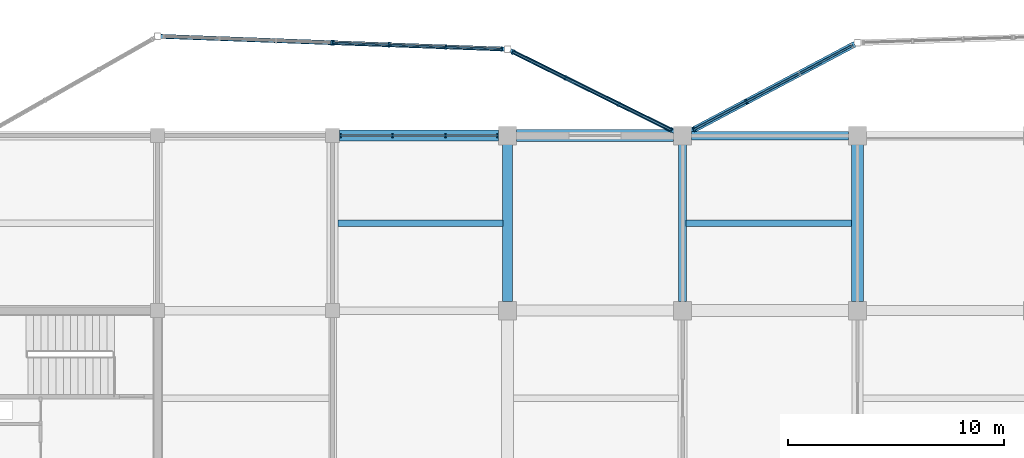
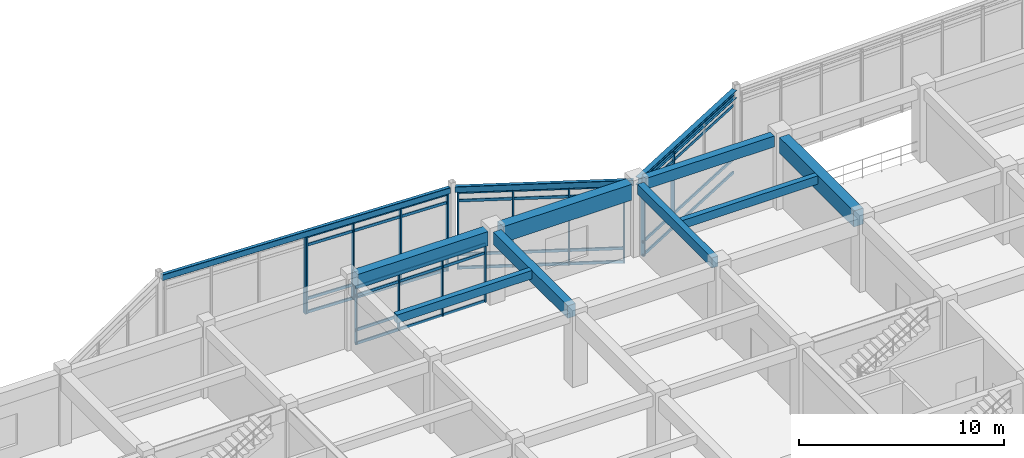
# One storey, part 47 of 93: 31 members, 11 beams, 5 elements without a shape of their own.
"""IFC4 building model written with IfcOpenShell, lengths in metres."""

from ifc_helpers import new_model, si_unit, direction, frame, origin, origin_2d, place, context, subcontext, project, spatial, rectangle, hollow_rectangle, i_section, extrude, material, layer, layer_set, material_profile, profile_set, type_object, element, aggregate, save


model = new_model("IFC4")

# Units and contexts
model_context = context("Model", 3, precision=1e-05, world=origin(), true_north=direction((0.0, 1.0)))
body_context = subcontext(model_context, "Body", "Model", "MODEL_VIEW")
ifc_project = project(units=[si_unit("LENGTHUNIT", "METRE"), si_unit("AREAUNIT", "SQUARE_METRE"), si_unit("VOLUMEUNIT", "CUBIC_METRE"), si_unit("PLANEANGLEUNIT", "RADIAN"), si_unit("MASSUNIT", "GRAM", prefix="KILO")], contexts=[model_context])

# Site, building, storey
site_placement = place(None, origin())
site = spatial("IfcSite", under=ifc_project, at=site_placement, CompositionType="ELEMENT")
building_placement = place(site_placement, origin())
building = spatial("IfcBuilding", under=site, at=building_placement, Name="Vaudrelin Polytechnic", CompositionType="ELEMENT")
storey_placement = place(building_placement, frame((0.0, 0.0, 5.10009765625)))
storey = spatial("IfcBuildingStorey", under=building, at=storey_placement, Name="L01", CompositionType="ELEMENT", Elevation=5.10009765625)

# Beams
ifc_material_1 = material(Name="Concrete 40 MPa", Category="concrete")
ifc_material_profile_1 = material_profile(ifc_material_1, rectangle(XDim=0.35009765625, YDim=0.60009765625, at=origin_2d()), Name="RC350x600")
ifc_profile_set_1 = profile_set([ifc_material_profile_1], Name="Concrete 40 MPa")
beam_type_1 = type_object("IfcBeamType", Name="BM-BM-RC3560", PredefinedType="BEAM", material=ifc_profile_set_1)
beam_1_placement = place(storey_placement, frame((145.800048828125, 113.81005859375, 4.010009765625), z_axis=(0.0, 1.0, 0.0), x_axis=(-1.0, 0.0, 0.0)))
element("IfcBeam", 1, at=beam_1_placement, inside=storey, type_object=beam_type_1, Name="L01 Y-beam 19-15", PredefinedType="BEAM", context=body_context, shape_type="SweptSolid", body=[
    extrude(rectangle(XDim=0.35009765625, YDim=0.60009765625, at=origin_2d()), origin(), (0.0, 0.0, 1.0), 7.280029296875),
])
ifc_material_profile_2 = material_profile(ifc_material_1, rectangle(XDim=0.449951171875, YDim=0.75, at=origin_2d()), Name="RC450x750")
ifc_profile_set_2 = profile_set([ifc_material_profile_2], Name="Concrete 40 MPa")
beam_type_2 = type_object("IfcBeamType", Name="BM-BM-RC4575", PredefinedType="BEAM", material=ifc_profile_set_2)
beam_2_placement = place(storey_placement, frame((137.699951171875, 113.81005859375, 3.934814453125), z_axis=(0.0, 1.0, 0.0), x_axis=(-1.0, 0.0, 0.0)))
element("IfcBeam", 2, at=beam_2_placement, inside=storey, type_object=beam_type_2, Name="L01 Y-beam 18-15", PredefinedType="BEAM", context=body_context, shape_type="SweptSolid", body=[
    extrude(rectangle(XDim=0.449951171875, YDim=0.75, at=origin_2d()), origin(), (0.0, 0.0, 1.0), 7.280029296875),
])
ifc_material_profile_3 = material_profile(ifc_material_1, rectangle(XDim=0.5, YDim=0.85009765625, at=origin_2d()), Name="RC500x850")
ifc_profile_set_3 = profile_set([ifc_material_profile_3], Name="Concrete 40 MPa")
beam_type_3 = type_object("IfcBeamType", Name="BM-BM-RC5085", PredefinedType="BEAM", material=ifc_profile_set_3)
beam_3_placement = place(storey_placement, frame((129.9208984375, 121.5, 3.885009765625), z_axis=(1.0, 0.0, 0.0), x_axis=(0.0, 1.0, 0.0)))
element("IfcBeam", 3, at=beam_3_placement, inside=storey, type_object=beam_type_3, Name="L01 X-beam 17-16", PredefinedType="BEAM", context=body_context, shape_type="SweptSolid", body=[
    extrude(rectangle(XDim=0.5, YDim=0.85009765625, at=origin_2d()), origin(), (0.0, 0.0, 1.0), 7.358154296875),
])
ifc_material_2 = material(Name="Concrete 50 MPa", Category="concrete")
ifc_material_profile_4 = material_profile(ifc_material_2, rectangle(XDim=0.550048828125, YDim=0.949951171875, at=origin_2d()), Name="RC550x950")
ifc_profile_set_4 = profile_set([ifc_material_profile_4], Name="Concrete 50 MPa")
beam_type_4 = type_object("IfcBeamType", Name="BM-BM-RC5595", PredefinedType="BEAM", material=ifc_profile_set_4)
beam_4_placement = place(storey_placement, frame((153.89990234375, 113.81005859375, 3.8349609375), z_axis=(0.0, 1.0, 0.0), x_axis=(-1.0, 0.0, 0.0)))
element("IfcBeam", 4, at=beam_4_placement, inside=storey, type_object=beam_type_4, Name="L01 Y-beam 20-15", PredefinedType="BEAM", context=body_context, shape_type="SweptSolid", body=[
    extrude(rectangle(XDim=0.550048828125, YDim=0.949951171875, at=origin_2d()), origin(), (0.0, 0.0, 1.0), 7.280029296875),
])
beam_5_placement = place(storey_placement, frame((138.12109375, 121.5, 3.8349609375), z_axis=(1.0, 0.0, 0.0), x_axis=(0.0, 1.0, 0.0)))
element("IfcBeam", 5, at=beam_5_placement, inside=storey, type_object=beam_type_4, Name="L01 X-beam 18-16", PredefinedType="BEAM", context=body_context, shape_type="SweptSolid", body=[
    extrude(rectangle(XDim=0.550048828125, YDim=0.949951171875, at=origin_2d()), origin(), (0.0, 0.0, 1.0), 7.2578125),
])
ifc_material_3 = material(Name="Steel CSA G40.21 350W", Category="steel")
ifc_material_profile_5 = material_profile(ifc_material_3, i_section(OverallWidth=0.280029296875, OverallDepth=0.462890625, WebThickness=0.0107421875, FlangeThickness=0.017333984375, FilletRadius=0.01806640625, at=origin_2d()), Name="W460x113")
ifc_profile_set_5 = profile_set([ifc_material_profile_5], Name="Steel CSA G40.21 350W")
beam_type_5 = type_object("IfcBeamType", Name="BM-BM-W460H", PredefinedType="BEAM", material=ifc_profile_set_5)
beam_6_placement = place(storey_placement, frame((145.923583984375, 121.565673828125, 4.078369140625), z_axis=(0.883259671752, 0.468884156542, 0.0), x_axis=(-0.468884156542, 0.883259671752, 0.0)))
element("IfcBeam", 6, at=beam_6_placement, inside=storey, type_object=beam_type_5, Name="Sculptural edge beam L01 NE_BM_1", PredefinedType="BEAM", context=body_context, shape_type="SweptSolid", body=[
    extrude(i_section(OverallWidth=0.280029296875, OverallDepth=0.462890625, WebThickness=0.0107421875, FlangeThickness=0.017333984375, FilletRadius=0.01806640625, at=origin_2d()), origin(), (0.0, 0.0, 1.0), 8.890625),
])
ifc_material_profile_6 = material_profile(ifc_material_1, rectangle(XDim=0.300048828125, YDim=0.5, at=origin_2d()), Name="RC300x500")
ifc_profile_set_6 = profile_set([ifc_material_profile_6], Name="Concrete 40 MPa")
beam_type_6 = type_object("IfcBeamType", Name="BM-JS-RC3050", PredefinedType="JOIST", material=ifc_profile_set_6)
beam_7_placement = place(storey_placement, frame((129.845947265625, 117.449951171875, 4.059814453125), z_axis=(1.0, 0.0, 0.0), x_axis=(0.0, 1.0, 0.0)))
element("IfcBeam", 7, at=beam_7_placement, inside=storey, type_object=beam_type_6, Name="L01 floor joist 17-15", PredefinedType="JOIST", context=body_context, shape_type="SweptSolid", body=[
    extrude(rectangle(XDim=0.300048828125, YDim=0.5, at=origin_2d()), origin(), (0.0, 0.0, 1.0), 7.633056640625),
])
beam_8_placement = place(storey_placement, frame((145.970947265625, 117.449951171875, 4.059814453125), z_axis=(1.0, 0.0, 0.0), x_axis=(0.0, 1.0, 0.0)))
element("IfcBeam", 8, at=beam_8_placement, inside=storey, type_object=beam_type_6, Name="L01 floor joist 19-15", PredefinedType="JOIST", context=body_context, shape_type="SweptSolid", body=[
    extrude(rectangle(XDim=0.300048828125, YDim=0.5, at=origin_2d()), origin(), (0.0, 0.0, 1.0), 7.657958984375),
])
ifc_material_4 = material(Name="Steel CSA G40.21 350WT", Category="steel")
ifc_material_profile_7 = material_profile(ifc_material_4, hollow_rectangle(XDim=0.202880859375, YDim=0.35595703125, WallThickness=0.0126953125, InnerFilletRadius=0.0126953125, OuterFilletRadius=0.025390625, at=origin_2d()), Name="HSS356x203x12.7")
ifc_profile_set_7 = profile_set([ifc_material_profile_7], Name="Steel CSA G40.21 350WT")
beam_type_7 = type_object("IfcBeamType", Name="BM-SP-HSS35", PredefinedType="SPANDREL", material=ifc_profile_set_7)
beam_9_placement = place(storey_placement, frame((121.639892578125, 126.0947265625, 4.1318359375), z_axis=(0.999314917736, -0.037009393279, 0.0), x_axis=(0.037009393279, 0.999314917736, 0.0)))
element("IfcBeam", 9, at=beam_9_placement, inside=storey, type_object=beam_type_7, Name="Sculptural edge beam L01 N_OR3_B2", PredefinedType="SPANDREL", context=body_context, shape_type="SweptSolid", body=[
    extrude(hollow_rectangle(XDim=0.202880859375, YDim=0.35595703125, WallThickness=0.0126953125, InnerFilletRadius=0.0126953125, OuterFilletRadius=0.025390625, at=origin_2d()), origin(), (0.0, 0.0, 1.0), 15.93115234375),
])
beam_10_placement = place(storey_placement, frame((137.825439453125, 125.43798828125, 4.1318359375), z_axis=(0.896636147208, -0.44276813291, 0.0), x_axis=(0.44276813291, 0.896636147208, 0.0)))
element("IfcBeam", 10, at=beam_10_placement, inside=storey, type_object=beam_type_7, Name="Sculptural edge beam L01 N_OR3_B3", PredefinedType="SPANDREL", context=body_context, shape_type="SweptSolid", body=[
    extrude(hollow_rectangle(XDim=0.202880859375, YDim=0.35595703125, WallThickness=0.0126953125, InnerFilletRadius=0.0126953125, OuterFilletRadius=0.025390625, at=origin_2d()), origin(), (0.0, 0.0, 1.0), 8.75390625),
])
ifc_material_profile_8 = material_profile(ifc_material_1, rectangle(XDim=0.39990234375, YDim=0.64990234375, at=origin_2d()), Name="RC400x650")
ifc_profile_set_8 = profile_set([ifc_material_profile_8], Name="Concrete 40 MPa")
beam_type_8 = type_object("IfcBeamType", Name="BM-SP-RC4065", PredefinedType="SPANDREL", material=ifc_profile_set_8)
beam_11_placement = place(storey_placement, frame((146.220947265625, 121.5, 3.98486328125), z_axis=(1.0, 0.0, 0.0), x_axis=(0.0, 1.0, 0.0)))
element("IfcBeam", 11, at=beam_11_placement, inside=storey, type_object=beam_type_8, Name="L01 X-beam 19-16", PredefinedType="SPANDREL", context=body_context, shape_type="SweptSolid", body=[
    extrude(rectangle(XDim=0.39990234375, YDim=0.64990234375, at=origin_2d()), origin(), (0.0, 0.0, 1.0), 7.258056640625),
])

# Curtain wall, members
ifc_material_5 = material(Name="Thermally broken anodised aluminium AA 6063-T6 and low-e triple glazing", Category="aluminium")
ifc_layer_1 = layer(ifc_material_5, 0.199951171875)
ifc_layer_set_1 = layer_set([ifc_layer_1], Name="Thermally broken anodised aluminium AA 6063-T6 and low-e triple glazing")
curtain_wall_type_1 = type_object("IfcCurtainWallType", Name="CW-CW-LAB", PredefinedType="USERDEFINED", material=ifc_layer_set_1)
curtain_wall_1_placement = place(storey_placement, origin())
curtain_wall_1 = element("IfcCurtainWall", 12, at=curtain_wall_1_placement, inside=storey, type_object=curtain_wall_type_1, Name="Curtain wall L01 N_V4_00", ObjectType="CURTAIN WALL", PredefinedType="USERDEFINED")
ifc_material_6 = material(Name="Anodised aluminium AA 6063-T6", Category="aluminium")
ifc_material_profile_9 = material_profile(ifc_material_6, rectangle(XDim=0.06494140625, YDim=0.179931640625, at=origin_2d()), Name="CWM-65x180")
ifc_profile_set_9 = profile_set([ifc_material_profile_9], Name="Anodised aluminium AA 6063-T6")
member_type_1 = type_object("IfcMemberType", Name="MEM-CWM-180", PredefinedType="MULLION", material=ifc_profile_set_9)
member_1_placement = place(storey_placement, frame((129.962890625, 121.5, 0.0), z_axis=(0.0, 0.0, 1.0), x_axis=(1.0, 0.0, 0.0)))
member_1 = element("IfcMember", 13, at=member_1_placement, type_object=member_type_1, Name="N_V4_00 mullion 1", PredefinedType="MULLION", context=body_context, shape_type="SweptSolid", body=[
    extrude(rectangle(XDim=0.06494140625, YDim=0.179931640625, at=origin_2d()), origin(), (0.0, 0.0, 1.0), 3.4619140625),
])
member_2_placement = place(storey_placement, frame((132.374267578125, 121.5, 0.0), z_axis=(0.0, 0.0, 1.0), x_axis=(1.0, 0.0, 0.0)))
member_2 = element("IfcMember", 14, at=member_2_placement, type_object=member_type_1, Name="N_V4_00 mullion 2", PredefinedType="MULLION", context=body_context, shape_type="SweptSolid", body=[
    extrude(rectangle(XDim=0.06494140625, YDim=0.179931640625, at=origin_2d()), origin(), (0.0, 0.0, 1.0), 3.4619140625),
])
member_3_placement = place(storey_placement, frame((134.82568359375, 121.5, 0.0), z_axis=(0.0, 0.0, 1.0), x_axis=(1.0, 0.0, 0.0)))
member_3 = element("IfcMember", 15, at=member_3_placement, type_object=member_type_1, Name="N_V4_00 mullion 3", PredefinedType="MULLION", context=body_context, shape_type="SweptSolid", body=[
    extrude(rectangle(XDim=0.06494140625, YDim=0.179931640625, at=origin_2d()), origin(), (0.0, 0.0, 1.0), 3.4619140625),
])
member_4_placement = place(storey_placement, frame((137.237060546875, 121.5, 0.0), z_axis=(0.0, 0.0, 1.0), x_axis=(1.0, 0.0, 0.0)))
member_4 = element("IfcMember", 16, at=member_4_placement, type_object=member_type_1, Name="N_V4_00 mullion 4", PredefinedType="MULLION", context=body_context, shape_type="SweptSolid", body=[
    extrude(rectangle(XDim=0.06494140625, YDim=0.179931640625, at=origin_2d()), origin(), (0.0, 0.0, 1.0), 3.4619140625),
])

curtain_wall_2_placement = place(storey_placement, origin())
curtain_wall_2 = element("IfcCurtainWall", 17, at=curtain_wall_2_placement, inside=storey, type_object=curtain_wall_type_1, Name="Curtain wall L01 NEP_1_0", ObjectType="CURTAIN WALL", PredefinedType="USERDEFINED")
ifc_material_profile_10 = material_profile(ifc_material_6, rectangle(XDim=0.074951171875, YDim=0.219970703125, at=origin_2d()), Name="CWM-75x220")
ifc_profile_set_10 = profile_set([ifc_material_profile_10], Name="Anodised aluminium AA 6063-T6")
member_type_2 = type_object("IfcMemberType", Name="MEM-CWM-220", PredefinedType="MULLION", material=ifc_profile_set_10)
member_5_placement = place(storey_placement, frame((146.33544921875, 121.7841796875, -0.630126953125), z_axis=(0.0, 0.0, 1.0), x_axis=(0.883256373642, 0.468890369298, 0.0)))
member_5 = element("IfcMember", 18, at=member_5_placement, type_object=member_type_2, Name="NEP_1_0 mullion 1", PredefinedType="MULLION", context=body_context, shape_type="SweptSolid", body=[
    extrude(rectangle(XDim=0.074951171875, YDim=0.219970703125, at=origin_2d()), origin(), (0.0, 0.0, 1.0), 4.610107421875),
])
member_6_placement = place(storey_placement, frame((148.757568359375, 123.070068359375, -0.630126953125), z_axis=(0.0, 0.0, 1.0), x_axis=(0.883256373642, 0.468890369298, 0.0)))
member_6 = element("IfcMember", 19, at=member_6_placement, type_object=member_type_2, Name="NEP_1_0 mullion 2", PredefinedType="MULLION", context=body_context, shape_type="SweptSolid", body=[
    extrude(rectangle(XDim=0.074951171875, YDim=0.219970703125, at=origin_2d()), origin(), (0.0, 0.0, 1.0), 4.610107421875),
])

# Curtain wall, member
ifc_layer_2 = layer(ifc_material_5, 0.199951171875)
ifc_layer_set_2 = layer_set([ifc_layer_2], Name="Thermally broken anodised aluminium AA 6063-T6 and low-e triple glazing")
curtain_wall_type_2 = type_object("IfcCurtainWallType", Name="CW-CW-STU", PredefinedType="USERDEFINED", material=ifc_layer_set_2)
curtain_wall_3_placement = place(storey_placement, origin())
curtain_wall_3 = element("IfcCurtainWall", 20, at=curtain_wall_3_placement, inside=storey, type_object=curtain_wall_type_2, Name="Curtain wall L01 N_OR3_2_0", ObjectType="CURTAIN WALL", PredefinedType="USERDEFINED")
member_7_placement = place(storey_placement, frame((129.56005859375, 125.801513671875, -0.630126953125), z_axis=(0.0, 0.0, 1.0), x_axis=(0.999314868587, -0.037010720341, 0.0)))
member_7 = element("IfcMember", 21, at=member_7_placement, type_object=member_type_2, Name="N_OR3_2_0 mullion 4", PredefinedType="MULLION", context=body_context, shape_type="SweptSolid", body=[
    extrude(rectangle(XDim=0.074951171875, YDim=0.219970703125, at=origin_2d()), origin(), (0.0, 0.0, 1.0), 4.610107421875),
])
aggregate(curtain_wall_3, [member_7])

# Curtain wall, members
curtain_wall_4_placement = place(storey_placement, origin())
curtain_wall_4 = element("IfcCurtainWall", 22, at=curtain_wall_4_placement, inside=storey, type_object=curtain_wall_type_2, Name="Curtain wall L01 N_OR3_2_1", ObjectType="CURTAIN WALL", PredefinedType="USERDEFINED")
member_8_placement = place(storey_placement, frame((129.639892578125, 125.798583984375, -0.630126953125), z_axis=(0.0, 0.0, 1.0), x_axis=(0.999314868587, -0.037010720341, 0.0)))
member_8 = element("IfcMember", 23, at=member_8_placement, type_object=member_type_2, Name="N_OR3_2_1 mullion 1", PredefinedType="MULLION", context=body_context, shape_type="SweptSolid", body=[
    extrude(rectangle(XDim=0.074951171875, YDim=0.219970703125, at=origin_2d()), origin(), (0.0, 0.0, 1.0), 4.610107421875),
])
member_9_placement = place(storey_placement, frame((132.220947265625, 125.702880859375, -0.630126953125), z_axis=(0.0, 0.0, 1.0), x_axis=(0.999314868587, -0.037010720341, 0.0)))
member_9 = element("IfcMember", 24, at=member_9_placement, type_object=member_type_2, Name="N_OR3_2_1 mullion 2", PredefinedType="MULLION", context=body_context, shape_type="SweptSolid", body=[
    extrude(rectangle(XDim=0.074951171875, YDim=0.219970703125, at=origin_2d()), origin(), (0.0, 0.0, 1.0), 4.610107421875),
])
member_10_placement = place(storey_placement, frame((134.841796875, 125.60595703125, -0.630126953125), z_axis=(0.0, 0.0, 1.0), x_axis=(0.999314868587, -0.037010720341, 0.0)))
member_10 = element("IfcMember", 25, at=member_10_placement, type_object=member_type_2, Name="N_OR3_2_1 mullion 3", PredefinedType="MULLION", context=body_context, shape_type="SweptSolid", body=[
    extrude(rectangle(XDim=0.074951171875, YDim=0.219970703125, at=origin_2d()), origin(), (0.0, 0.0, 1.0), 4.610107421875),
])
member_11_placement = place(storey_placement, frame((137.422607421875, 125.51025390625, -0.630126953125), z_axis=(0.0, 0.0, 1.0), x_axis=(0.999314868587, -0.037010720341, 0.0)))
member_11 = element("IfcMember", 26, at=member_11_placement, type_object=member_type_2, Name="N_OR3_2_1 mullion 4", PredefinedType="MULLION", context=body_context, shape_type="SweptSolid", body=[
    extrude(rectangle(XDim=0.074951171875, YDim=0.219970703125, at=origin_2d()), origin(), (0.0, 0.0, 1.0), 4.610107421875),
])

curtain_wall_5_placement = place(storey_placement, origin())
curtain_wall_5 = element("IfcCurtainWall", 27, at=curtain_wall_5_placement, inside=storey, type_object=curtain_wall_type_2, Name="Curtain wall L01 N_OR3_3_0", ObjectType="CURTAIN WALL", PredefinedType="USERDEFINED")
member_12_placement = place(storey_placement, frame((137.964599609375, 125.369384765625, -0.630126953125), z_axis=(0.0, 0.0, 1.0), x_axis=(0.896627986074, -0.442784659386, 0.0)))
member_12 = element("IfcMember", 28, at=member_12_placement, type_object=member_type_2, Name="N_OR3_3_0 mullion 1", PredefinedType="MULLION", context=body_context, shape_type="SweptSolid", body=[
    extrude(rectangle(XDim=0.074951171875, YDim=0.219970703125, at=origin_2d()), origin(), (0.0, 0.0, 1.0), 4.610107421875),
])
member_13_placement = place(storey_placement, frame((140.385498046875, 124.173828125, -0.630126953125), z_axis=(0.0, 0.0, 1.0), x_axis=(0.896627986074, -0.442784659386, 0.0)))
member_13 = element("IfcMember", 29, at=member_13_placement, type_object=member_type_2, Name="N_OR3_3_0 mullion 2", PredefinedType="MULLION", context=body_context, shape_type="SweptSolid", body=[
    extrude(rectangle(XDim=0.074951171875, YDim=0.219970703125, at=origin_2d()), origin(), (0.0, 0.0, 1.0), 4.610107421875),
])
member_14_placement = place(storey_placement, frame((142.842041015625, 122.960693359375, -0.630126953125), z_axis=(0.0, 0.0, 1.0), x_axis=(0.896627986074, -0.442784659386, 0.0)))
member_14 = element("IfcMember", 30, at=member_14_placement, type_object=member_type_2, Name="N_OR3_3_0 mullion 3", PredefinedType="MULLION", context=body_context, shape_type="SweptSolid", body=[
    extrude(rectangle(XDim=0.074951171875, YDim=0.219970703125, at=origin_2d()), origin(), (0.0, 0.0, 1.0), 4.610107421875),
])
member_15_placement = place(storey_placement, frame((145.262939453125, 121.76513671875, -0.630126953125), z_axis=(0.0, 0.0, 1.0), x_axis=(0.896627986074, -0.442784659386, 0.0)))
member_15 = element("IfcMember", 31, at=member_15_placement, type_object=member_type_2, Name="N_OR3_3_0 mullion 4", PredefinedType="MULLION", context=body_context, shape_type="SweptSolid", body=[
    extrude(rectangle(XDim=0.074951171875, YDim=0.219970703125, at=origin_2d()), origin(), (0.0, 0.0, 1.0), 4.610107421875),
])

# Member
ifc_material_profile_11 = material_profile(ifc_material_6, rectangle(XDim=0.074951171875, YDim=0.1650390625, at=origin_2d()), Name="CWT-75x165")
ifc_profile_set_11 = profile_set([ifc_material_profile_11], Name="Anodised aluminium AA 6063-T6")
member_type_3 = type_object("IfcMemberType", Name="MEM-CWT-165", PredefinedType="USERDEFINED", material=ifc_profile_set_11)
member_16_placement = place(storey_placement, frame((129.923095703125, 121.5, 0.0498046875), z_axis=(1.0, 0.0, 0.0), x_axis=(0.0, 1.0, 0.0)))
member_16 = element("IfcMember", 32, at=member_16_placement, type_object=member_type_3, Name="N_V4_00 transom 1", ObjectType="TRANSOM", PredefinedType="USERDEFINED", context=body_context, shape_type="SweptSolid", body=[
    extrude(rectangle(XDim=0.074951171875, YDim=0.1650390625, at=origin_2d()), origin(), (0.0, 0.0, 1.0), 7.35400390625),
])

member_17_placement = place(storey_placement, frame((129.923095703125, 121.5, 0.849853515625), z_axis=(1.0, 0.0, 0.0), x_axis=(0.0, 1.0, 0.0)))
member_17 = element("IfcMember", 33, at=member_17_placement, type_object=member_type_3, Name="N_V4_00 transom 2", ObjectType="TRANSOM", PredefinedType="USERDEFINED", context=body_context, shape_type="SweptSolid", body=[
    extrude(rectangle(XDim=0.074951171875, YDim=0.1650390625, at=origin_2d()), origin(), (0.0, 0.0, 1.0), 7.35400390625),
])

member_18_placement = place(storey_placement, frame((129.923095703125, 121.5, 2.911865234375), z_axis=(1.0, 0.0, 0.0), x_axis=(0.0, 1.0, 0.0)))
member_18 = element("IfcMember", 34, at=member_18_placement, type_object=member_type_3, Name="N_V4_00 transom 3", ObjectType="TRANSOM", PredefinedType="USERDEFINED", context=body_context, shape_type="SweptSolid", body=[
    extrude(rectangle(XDim=0.074951171875, YDim=0.1650390625, at=origin_2d()), origin(), (0.0, 0.0, 1.0), 7.35400390625),
])

member_19_placement = place(storey_placement, frame((129.923095703125, 121.5, 3.411865234375), z_axis=(1.0, 0.0, 0.0), x_axis=(0.0, 1.0, 0.0)))
member_19 = element("IfcMember", 35, at=member_19_placement, type_object=member_type_3, Name="N_V4_00 transom 4", ObjectType="TRANSOM", PredefinedType="USERDEFINED", context=body_context, shape_type="SweptSolid", body=[
    extrude(rectangle(XDim=0.074951171875, YDim=0.1650390625, at=origin_2d()), origin(), (0.0, 0.0, 1.0), 7.35400390625),
])

aggregate(curtain_wall_1, [member_1, member_2, member_3, member_4, member_16, member_17, member_18, member_19])

member_20_placement = place(storey_placement, frame((146.300048828125, 121.765380859375, -0.580078125), z_axis=(0.883250881543, 0.468900714707, 0.0), x_axis=(-0.468900714707, 0.883250881543, 0.0)))
member_20 = element("IfcMember", 36, at=member_20_placement, type_object=member_type_3, Name="NEP_1_0 transom 1", ObjectType="TRANSOM", PredefinedType="USERDEFINED", context=body_context, shape_type="SweptSolid", body=[
    extrude(rectangle(XDim=0.074951171875, YDim=0.1650390625, at=origin_2d()), origin(), (0.0, 0.0, 1.0), 8.3466796875),
])

member_21_placement = place(storey_placement, frame((146.300048828125, 121.765380859375, 0.219970703125), z_axis=(0.883250881543, 0.468900714707, 0.0), x_axis=(-0.468900714707, 0.883250881543, 0.0)))
member_21 = element("IfcMember", 37, at=member_21_placement, type_object=member_type_3, Name="NEP_1_0 transom 2", ObjectType="TRANSOM", PredefinedType="USERDEFINED", context=body_context, shape_type="SweptSolid", body=[
    extrude(rectangle(XDim=0.074951171875, YDim=0.1650390625, at=origin_2d()), origin(), (0.0, 0.0, 1.0), 8.3466796875),
])

member_22_placement = place(storey_placement, frame((146.300048828125, 121.765380859375, 3.429931640625), z_axis=(0.883250881543, 0.468900714707, 0.0), x_axis=(-0.468900714707, 0.883250881543, 0.0)))
member_22 = element("IfcMember", 38, at=member_22_placement, type_object=member_type_3, Name="NEP_1_0 transom 3", ObjectType="TRANSOM", PredefinedType="USERDEFINED", context=body_context, shape_type="SweptSolid", body=[
    extrude(rectangle(XDim=0.074951171875, YDim=0.1650390625, at=origin_2d()), origin(), (0.0, 0.0, 1.0), 8.3466796875),
])

member_23_placement = place(storey_placement, frame((146.300048828125, 121.765380859375, 3.929931640625), z_axis=(0.883250881543, 0.468900714707, 0.0), x_axis=(-0.468900714707, 0.883250881543, 0.0)))
member_23 = element("IfcMember", 39, at=member_23_placement, type_object=member_type_3, Name="NEP_1_0 transom 4", ObjectType="TRANSOM", PredefinedType="USERDEFINED", context=body_context, shape_type="SweptSolid", body=[
    extrude(rectangle(XDim=0.074951171875, YDim=0.1650390625, at=origin_2d()), origin(), (0.0, 0.0, 1.0), 8.3466796875),
])

aggregate(curtain_wall_2, [member_5, member_6, member_20, member_21, member_22, member_23])

member_24_placement = place(storey_placement, frame((129.60009765625, 125.800048828125, -0.580078125), z_axis=(0.999314578704, -0.037018546573, 0.0), x_axis=(0.037018546573, 0.999314578704, 0.0)))
member_24 = element("IfcMember", 40, at=member_24_placement, type_object=member_type_3, Name="N_OR3_2_1 transom 1", ObjectType="TRANSOM", PredefinedType="USERDEFINED", context=body_context, shape_type="SweptSolid", body=[
    extrude(rectangle(XDim=0.074951171875, YDim=0.1650390625, at=origin_2d()), origin(), (0.0, 0.0, 1.0), 7.867919921875),
])

member_25_placement = place(storey_placement, frame((129.60009765625, 125.800048828125, 0.219970703125), z_axis=(0.999314578704, -0.037018546573, 0.0), x_axis=(0.037018546573, 0.999314578704, 0.0)))
member_25 = element("IfcMember", 41, at=member_25_placement, type_object=member_type_3, Name="N_OR3_2_1 transom 2", ObjectType="TRANSOM", PredefinedType="USERDEFINED", context=body_context, shape_type="SweptSolid", body=[
    extrude(rectangle(XDim=0.074951171875, YDim=0.1650390625, at=origin_2d()), origin(), (0.0, 0.0, 1.0), 7.867919921875),
])

member_26_placement = place(storey_placement, frame((129.60009765625, 125.800048828125, 3.429931640625), z_axis=(0.999314578704, -0.037018546573, 0.0), x_axis=(0.037018546573, 0.999314578704, 0.0)))
member_26 = element("IfcMember", 42, at=member_26_placement, type_object=member_type_3, Name="N_OR3_2_1 transom 3", ObjectType="TRANSOM", PredefinedType="USERDEFINED", context=body_context, shape_type="SweptSolid", body=[
    extrude(rectangle(XDim=0.074951171875, YDim=0.1650390625, at=origin_2d()), origin(), (0.0, 0.0, 1.0), 7.867919921875),
])

member_27_placement = place(storey_placement, frame((129.60009765625, 125.800048828125, 3.929931640625), z_axis=(0.999314578704, -0.037018546573, 0.0), x_axis=(0.037018546573, 0.999314578704, 0.0)))
member_27 = element("IfcMember", 43, at=member_27_placement, type_object=member_type_3, Name="N_OR3_2_1 transom 4", ObjectType="TRANSOM", PredefinedType="USERDEFINED", context=body_context, shape_type="SweptSolid", body=[
    extrude(rectangle(XDim=0.074951171875, YDim=0.1650390625, at=origin_2d()), origin(), (0.0, 0.0, 1.0), 7.867919921875),
])

aggregate(curtain_wall_4, [member_8, member_9, member_10, member_11, member_24, member_25, member_26, member_27])

member_28_placement = place(storey_placement, frame((137.9287109375, 125.38720703125, -0.580078125), z_axis=(0.896626056519, -0.442788566668, 0.0), x_axis=(0.442788566668, 0.896626056519, 0.0)))
member_28 = element("IfcMember", 44, at=member_28_placement, type_object=member_type_3, Name="N_OR3_3_0 transom 1", ObjectType="TRANSOM", PredefinedType="USERDEFINED", context=body_context, shape_type="SweptSolid", body=[
    extrude(rectangle(XDim=0.074951171875, YDim=0.1650390625, at=origin_2d()), origin(), (0.0, 0.0, 1.0), 8.2197265625),
])

member_29_placement = place(storey_placement, frame((137.9287109375, 125.38720703125, 0.219970703125), z_axis=(0.896626056519, -0.442788566668, 0.0), x_axis=(0.442788566668, 0.896626056519, 0.0)))
member_29 = element("IfcMember", 45, at=member_29_placement, type_object=member_type_3, Name="N_OR3_3_0 transom 2", ObjectType="TRANSOM", PredefinedType="USERDEFINED", context=body_context, shape_type="SweptSolid", body=[
    extrude(rectangle(XDim=0.074951171875, YDim=0.1650390625, at=origin_2d()), origin(), (0.0, 0.0, 1.0), 8.2197265625),
])

member_30_placement = place(storey_placement, frame((137.9287109375, 125.38720703125, 3.429931640625), z_axis=(0.896626056519, -0.442788566668, 0.0), x_axis=(0.442788566668, 0.896626056519, 0.0)))
member_30 = element("IfcMember", 46, at=member_30_placement, type_object=member_type_3, Name="N_OR3_3_0 transom 3", ObjectType="TRANSOM", PredefinedType="USERDEFINED", context=body_context, shape_type="SweptSolid", body=[
    extrude(rectangle(XDim=0.074951171875, YDim=0.1650390625, at=origin_2d()), origin(), (0.0, 0.0, 1.0), 8.2197265625),
])

member_31_placement = place(storey_placement, frame((137.9287109375, 125.38720703125, 3.929931640625), z_axis=(0.896626056519, -0.442788566668, 0.0), x_axis=(0.442788566668, 0.896626056519, 0.0)))
member_31 = element("IfcMember", 47, at=member_31_placement, type_object=member_type_3, Name="N_OR3_3_0 transom 4", ObjectType="TRANSOM", PredefinedType="USERDEFINED", context=body_context, shape_type="SweptSolid", body=[
    extrude(rectangle(XDim=0.074951171875, YDim=0.1650390625, at=origin_2d()), origin(), (0.0, 0.0, 1.0), 8.2197265625),
])

aggregate(curtain_wall_5, [member_12, member_13, member_14, member_15, member_28, member_29, member_30, member_31])

save(model, "model.ifc")
